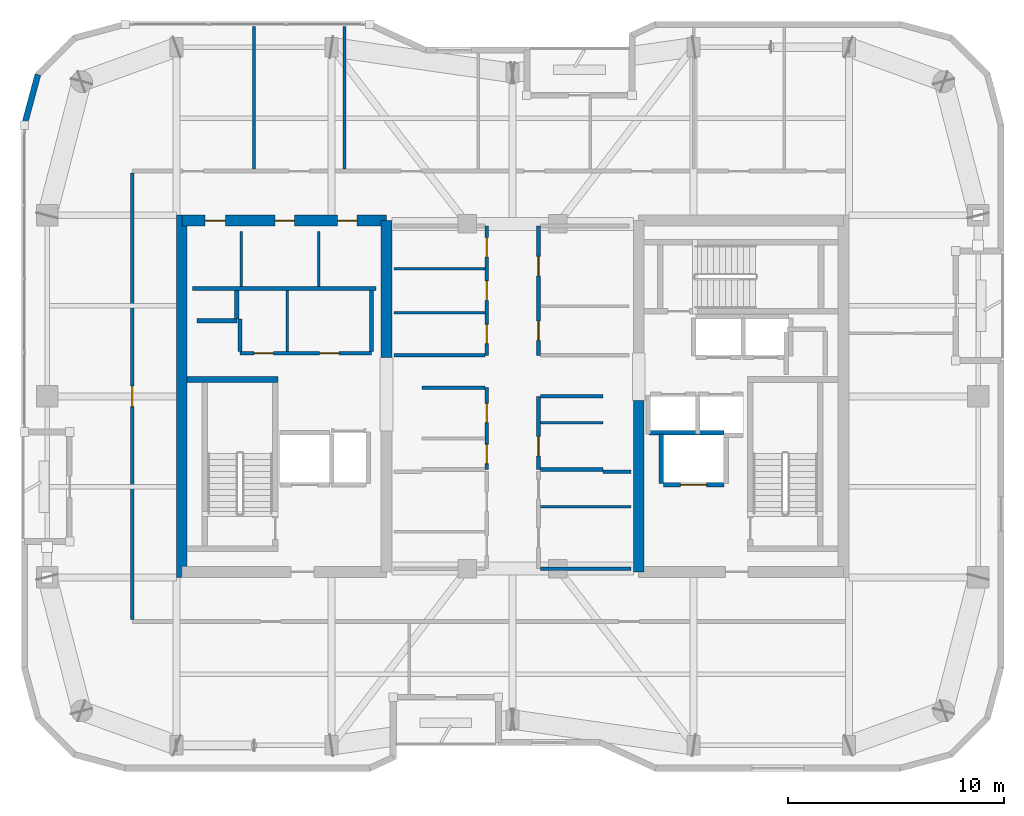
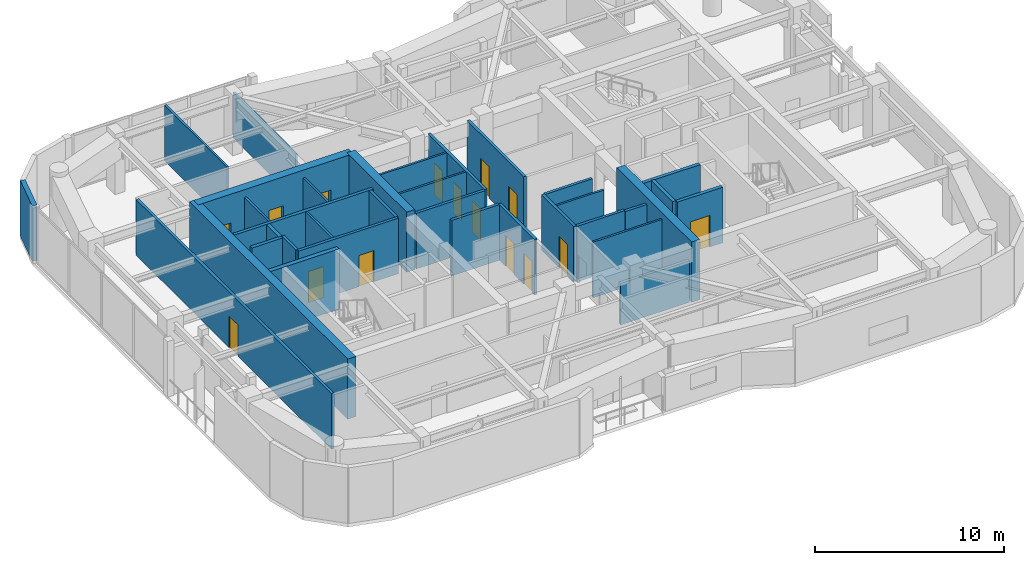
# One storey, part 11 of 15: 35 walls, 15 doors, 15 openings.
"""IFC4 building model written with IfcOpenShell, lengths in metres."""

from ifc_helpers import new_model, si_unit, direction, frame, frame_2d, origin, place, context, subcontext, project, spatial, rectangle, extrude, material, layer, layer_set, type_object, element, fill, save


model = new_model("IFC4")

# Units and contexts
model_context = context("Model", 3, precision=1e-05, world=origin(), true_north=direction((0.0, 1.0)))
body_context = subcontext(model_context, "Body", "Model", "MODEL_VIEW")
ifc_project = project(units=[si_unit("LENGTHUNIT", "METRE"), si_unit("AREAUNIT", "SQUARE_METRE"), si_unit("VOLUMEUNIT", "CUBIC_METRE"), si_unit("PLANEANGLEUNIT", "RADIAN"), si_unit("MASSUNIT", "GRAM", prefix="KILO")], contexts=[model_context])

# Site, building, storey
site_placement = place(None, origin())
site = spatial("IfcSite", under=ifc_project, at=site_placement, CompositionType="ELEMENT")
building_placement = place(site_placement, origin())
building = spatial("IfcBuilding", under=site, at=building_placement, Name="Kiyonajd Concourse Tower", CompositionType="ELEMENT")
storey_placement = place(building_placement, frame((0.0, 0.0, 278.39990234375)))
storey = spatial("IfcBuildingStorey", under=building, at=storey_placement, Name="L70", CompositionType="ELEMENT", Elevation=278.39990234375)

# Walls
ifc_material_1 = material(Name="Concrete C60/75", Category="concrete")
ifc_layer_1 = layer(ifc_material_1, 0.5)
ifc_layer_set_1 = layer_set([ifc_layer_1], Name="Concrete C60/75")
wall_type_1 = type_object("IfcWallType", Name="WL-CORE-500", PredefinedType="SHEAR", material=ifc_layer_set_1)
wall_1_placement = place(storey_placement, frame((32.64990234375, 27.60009765625, 0.0), z_axis=(0.0, 0.0, 1.0), x_axis=(0.0, 1.0, 0.0)))
element("IfcWall", 1, at=wall_1_placement, inside=storey, type_object=wall_type_1, Name="L70 West Core Outer Shear Wall", PredefinedType="SHEAR", context=body_context, shape_type="SweptSolid", body=[
    extrude(rectangle(XDim=16.7998046875, YDim=0.5, at=frame_2d((8.39990234375, 0.0))), origin(), (0.0, 0.0, 1.0), 3.900146484375),
])
wall_2_placement = place(storey_placement, frame((42.14990234375, 37.800048828125, 0.0), z_axis=(0.0, 0.0, 1.0), x_axis=(0.0, 1.0, 0.0)))
element("IfcWall", 2, at=wall_2_placement, inside=storey, type_object=wall_type_1, Name="L70 West Core Inner North Shear Wall", PredefinedType="SHEAR", context=body_context, shape_type="SweptSolid", body=[
    extrude(rectangle(XDim=6.349853515625, YDim=0.5, at=frame_2d((3.1748046875, 0.0))), origin(), (0.0, 0.0, 1.0), 3.900146484375),
])

# Wall, openings, doors
wall_3_placement = place(storey_placement, frame((32.64990234375, 44.14990234375, 0.0), z_axis=(0.0, 0.0, 1.0), x_axis=(1.0, 0.0, 0.0)))
wall_3 = element("IfcWall", 3, at=wall_3_placement, inside=storey, type_object=wall_type_1, Name="L70 West Core North Shear Wall", PredefinedType="SHEAR", context=body_context, shape_type="SweptSolid", body=[
    extrude(rectangle(XDim=9.5, YDim=0.5, at=frame_2d((4.75, 0.0))), origin(), (0.0, 0.0, 1.0), 3.900146484375),
])
opening_1_placement = place(wall_3_placement, frame((1.074951171875, 0.0, 0.0)))
opening_1 = element("IfcOpeningElement", 4, at=opening_1_placement, cuts=wall_3, Name="Opening DI1", PredefinedType="OPENING", context=body_context, shape_type="SweptSolid", body=[
    extrude(rectangle(XDim=0.949951171875, YDim=2.0400390625, at=frame_2d((0.47509765625, 1.02001953125))), frame((0.0, 0.260009765625, 0.0), z_axis=(0.0, -1.0, 0.0), x_axis=(1.0, 0.0, 0.0)), (0.0, 0.0, 1.0), 0.52001953125),
])
opening_2_placement = place(wall_3_placement, frame((4.324951171875, 0.0, 0.0)))
opening_2 = element("IfcOpeningElement", 5, at=opening_2_placement, cuts=wall_3, Name="Opening DI2", PredefinedType="OPENING", context=body_context, shape_type="SweptSolid", body=[
    extrude(rectangle(XDim=0.89990234375, YDim=2.02001953125, at=frame_2d((0.449951171875, 1.010009765625))), frame((0.0, 0.260009765625, 0.0), z_axis=(0.0, -1.0, 0.0), x_axis=(1.0, 0.0, 0.0)), (0.0, 0.0, 1.0), 0.52001953125),
])
opening_3_placement = place(wall_3_placement, frame((7.22509765625, 0.0, 0.0)))
opening_3 = element("IfcOpeningElement", 6, at=opening_3_placement, cuts=wall_3, Name="Opening DI2", PredefinedType="OPENING", context=body_context, shape_type="SweptSolid", body=[
    extrude(rectangle(XDim=0.89990234375, YDim=2.02001953125, at=frame_2d((0.449951171875, 1.010009765625))), frame((0.0, 0.260009765625, 0.0), z_axis=(0.0, -1.0, 0.0), x_axis=(1.0, 0.0, 0.0)), (0.0, 0.0, 1.0), 0.52001953125),
])
ifc_material_2 = material(Name="Natural Oak Acoustic Timber Veneer", Category="wood")
door_type_1 = type_object("IfcDoorType", Name="DR-INT-900", OperationType="NOTDEFINED", PredefinedType="DOOR", material=ifc_material_2)
door_1_placement = place(opening_2_placement, origin())
door_1 = element("IfcDoor", 7, at=door_1_placement, inside=storey, type_object=door_type_1, Name="L70 Male Restroom Door", OperationType="SINGLE_SWING_RIGHT", OverallHeight=2.02001953125, OverallWidth=0.89990234375, PredefinedType="DOOR", context=body_context, shape_type="SweptSolid", body=[
    extrude(rectangle(XDim=0.89990234375, YDim=2.02001953125, at=frame_2d((0.449951171875, 1.010009765625))), frame((0.0, 0.02490234375, 0.0), z_axis=(0.0, -1.0, 0.0), x_axis=(1.0, 0.0, 0.0)), (0.0, 0.0, 1.0), 0.050048828125),
])
fill(opening_2, door_1)
door_2_placement = place(opening_3_placement, origin())
door_2 = element("IfcDoor", 8, at=door_2_placement, inside=storey, type_object=door_type_1, Name="L70 Female Restroom Door", OperationType="SINGLE_SWING_LEFT", OverallHeight=2.02001953125, OverallWidth=0.89990234375, PredefinedType="DOOR", context=body_context, shape_type="SweptSolid", body=[
    extrude(rectangle(XDim=0.89990234375, YDim=2.02001953125, at=frame_2d((0.449951171875, 1.010009765625))), frame((0.0, 0.02490234375, 0.0), z_axis=(0.0, -1.0, 0.0), x_axis=(1.0, 0.0, 0.0)), (0.0, 0.0, 1.0), 0.050048828125),
])
fill(opening_3, door_2)
door_type_2 = type_object("IfcDoorType", Name="DR-INT-950", OperationType="NOTDEFINED", PredefinedType="DOOR", material=ifc_material_2)
door_3_placement = place(opening_1_placement, origin())
door_3 = element("IfcDoor", 9, at=door_3_placement, inside=storey, type_object=door_type_2, Name="L70 Single User Accessible WC Door", OperationType="SINGLE_SWING_LEFT", OverallHeight=2.0400390625, OverallWidth=0.949951171875, PredefinedType="DOOR", context=body_context, shape_type="SweptSolid", body=[
    extrude(rectangle(XDim=0.949951171875, YDim=2.0400390625, at=frame_2d((0.47509765625, 1.02001953125))), frame((0.0, 0.02490234375, 0.0), z_axis=(0.0, -1.0, 0.0), x_axis=(1.0, 0.0, 0.0)), (0.0, 0.0, 1.0), 0.050048828125),
])
fill(opening_1, door_3)

# Walls
wall_4_placement = place(storey_placement, frame((53.85009765625, 27.85009765625, 0.0), z_axis=(0.0, 0.0, 1.0), x_axis=(0.0, 1.0, 0.0)))
element("IfcWall", 10, at=wall_4_placement, inside=storey, type_object=wall_type_1, Name="L70 East Core Inner South Shear Wall", PredefinedType="SHEAR", context=body_context, shape_type="SweptSolid", body=[
    extrude(rectangle(XDim=7.949951171875, YDim=0.5, at=frame_2d((3.97509765625, 0.0))), origin(), (0.0, 0.0, 1.0), 3.900146484375),
])
ifc_material_3 = material(Name="Precast concrete C50/60", Category="concrete")
ifc_layer_2 = layer(ifc_material_3, 0.280029296875)
ifc_layer_set_2 = layer_set([ifc_layer_2], Name="Precast concrete C50/60")
wall_type_2 = type_object("IfcWallType", Name="WL-EXT-280", PredefinedType="SOLIDWALL", material=ifc_layer_set_2)
wall_5_placement = place(storey_placement, frame((25.340087890625, 48.58154296875, 0.0), z_axis=(0.0, 0.0, 1.0), x_axis=(0.258751159445, 0.965944013639, 0.0)))
element("IfcWall", 11, at=wall_5_placement, inside=storey, type_object=wall_type_2, Name="L70 Exterior Concrete Frame Wall 06", PredefinedType="SOLIDWALL", context=body_context, shape_type="SweptSolid", body=[
    extrude(rectangle(XDim=2.4287109375, YDim=0.280029296875, at=frame_2d((1.21435546875, 0.0))), origin(), (0.0, 0.0, 1.0), 3.60009765625),
])
ifc_material_4 = material(Name="Gypsum Board on Cold-Formed Steel Stud", Category="steel")
ifc_layer_3 = layer(ifc_material_4, 0.125)
ifc_layer_set_3 = layer_set([ifc_layer_3], Name="Gypsum Board on Cold-Formed Steel Stud")
wall_type_3 = type_object("IfcWallType", Name="WL-PART-125", PredefinedType="PARTITIONING", material=ifc_layer_set_3)
for number, where, z_axis, x_axis, name in (
    (12, (35.39990234375, 41.094970703125, 0.0), (0.0, 0.0, 1.0), (0.0, 1.0, 0.0), "L70 Interior Partition Wall"),
    (13, (39.0, 41.094970703125, 0.0), (0.0, 0.0, 1.0), (0.0, 1.0, 0.0), "L70 Interior Partition Wall"),
):
    element("IfcWall", number, at=place(storey_placement, frame(where, z_axis=z_axis, x_axis=x_axis)), inside=storey, type_object=wall_type_3, Name=name, PredefinedType="PARTITIONING", context=body_context, shape_type="SweptSolid", body=[
        extrude(rectangle(XDim=2.554931640625, YDim=0.125, at=frame_2d((1.27734375, 0.0))), origin(), (0.0, 0.0, 1.0), 3.60009765625),
    ])
wall_6_placement = place(storey_placement, frame((37.5458984375, 38.0869140625, 0.0), z_axis=(0.0, 0.0, 1.0), x_axis=(0.0, 1.0, 0.0)))
element("IfcWall", 14, at=wall_6_placement, inside=storey, type_object=wall_type_3, Name="L70 Interior Partition Wall", PredefinedType="PARTITIONING", context=body_context, shape_type="SweptSolid", body=[
    extrude(rectangle(XDim=2.81298828125, YDim=0.125, at=frame_2d((1.406494140625, 0.0))), origin(), (0.0, 0.0, 1.0), 3.60009765625),
])
wall_7_placement = place(storey_placement, frame((49.287109375, 34.77587890625, 0.0), z_axis=(0.0, 0.0, 1.0), x_axis=(1.0, 0.0, 0.0)))
element("IfcWall", 15, at=wall_7_placement, inside=storey, type_object=wall_type_3, Name="L70 Interior Partition Wall", PredefinedType="PARTITIONING", context=body_context, shape_type="SweptSolid", body=[
    extrude(rectangle(XDim=2.912841796875, YDim=0.125, at=frame_2d((1.45654296875, 0.0))), origin(), (0.0, 0.0, 1.0), 3.60009765625),
])
for number, where, z_axis, x_axis, name in (
    (16, (49.287109375, 30.8798828125, 0.0), (0.0, 0.0, 1.0), (1.0, 0.0, 0.0), "L70 Interior Partition Wall"),
    (17, (42.5, 39.8798828125, 0.0), (0.0, 0.0, 1.0), (1.0, 0.0, 0.0), "L70 Interior Partition Wall"),
    (18, (42.5, 41.919921875, 0.0), (0.0, 0.0, 1.0), (1.0, 0.0, 0.0), "L70 Interior Partition Wall"),
):
    element("IfcWall", number, at=place(storey_placement, frame(where, z_axis=z_axis, x_axis=x_axis)), inside=storey, type_object=wall_type_3, Name=name, PredefinedType="PARTITIONING", context=body_context, shape_type="SweptSolid", body=[
        extrude(rectangle(XDim=4.212890625, YDim=0.125, at=frame_2d((2.1064453125, 0.0))), origin(), (0.0, 0.0, 1.0), 3.60009765625),
    ])
wall_8_placement = place(storey_placement, frame((36.0, 46.537109375, 0.0), z_axis=(0.0, 0.0, 1.0), x_axis=(0.0, 1.0, 0.0)))
element("IfcWall", 19, at=wall_8_placement, inside=storey, type_object=wall_type_3, Name="L70 Interior Partition Wall", PredefinedType="PARTITIONING", context=body_context, shape_type="SweptSolid", body=[
    extrude(rectangle(XDim=6.6279296875, YDim=0.125, at=frame_2d((3.31396484375, 0.0))), origin(), (0.0, 0.0, 1.0), 3.60009765625),
])
wall_9_placement = place(storey_placement, frame((40.199951171875, 46.537109375, 0.0), z_axis=(0.0, 0.0, 1.0), x_axis=(0.0, 1.0, 0.0)))
element("IfcWall", 20, at=wall_9_placement, inside=storey, type_object=wall_type_3, Name="L70 Interior Partition Wall", PredefinedType="PARTITIONING", context=body_context, shape_type="SweptSolid", body=[
    extrude(rectangle(XDim=6.6279296875, YDim=0.125, at=frame_2d((3.31396484375, 0.0))), origin(), (0.0, 0.0, 1.0), 2.963134765625),
])
ifc_layer_4 = layer(ifc_material_4, 0.18994140625)
ifc_layer_set_4 = layer_set([ifc_layer_4], Name="Gypsum Board on Cold-Formed Steel Stud")
wall_type_4 = type_object("IfcWallType", Name="WL-PLMB-190", PredefinedType="PLUMBINGWALL", material=ifc_layer_set_4)
wall_10_placement = place(storey_placement, frame((33.14990234375, 41.0, 0.0), z_axis=(0.0, 0.0, 1.0), x_axis=(1.0, 0.0, 0.0)))
element("IfcWall", 21, at=wall_10_placement, inside=storey, type_object=wall_type_4, Name="L70 Interior Partition Wall", PredefinedType="PLUMBINGWALL", context=body_context, shape_type="SweptSolid", body=[
    extrude(rectangle(XDim=8.5, YDim=0.18994140625, at=frame_2d((4.25, 0.0))), origin(), (0.0, 0.0, 1.0), 3.60009765625),
])
ifc_layer_5 = layer(ifc_material_4, 0.2099609375)
ifc_layer_set_5 = layer_set([ifc_layer_5], Name="Gypsum Board on Cold-Formed Steel Stud")
wall_type_5 = type_object("IfcWallType", Name="WL-SHAFT-210", PredefinedType="PARTITIONING", material=ifc_layer_set_5)
wall_11_placement = place(storey_placement, frame((33.360107421875, 39.5, 0.0), z_axis=(0.0, 0.0, 1.0), x_axis=(1.0, 0.0, 0.0)))
element("IfcWall", 22, at=wall_11_placement, inside=storey, type_object=wall_type_5, Name="L70 Shaft Enclosure Wall", PredefinedType="PARTITIONING", context=body_context, shape_type="SweptSolid", body=[
    extrude(rectangle(XDim=1.85986328125, YDim=0.2099609375, at=frame_2d((0.929931640625, 0.0))), origin(), (0.0, 0.0, 1.0), 3.60009765625),
])
wall_12_placement = place(storey_placement, frame((35.199951171875, 39.580078125, 0.0), z_axis=(0.0, 0.0, 1.0), x_axis=(0.0, 1.0, 0.0)))
element("IfcWall", 23, at=wall_12_placement, inside=storey, type_object=wall_type_5, Name="L70 Shaft Enclosure Wall", PredefinedType="PARTITIONING", context=body_context, shape_type="SweptSolid", body=[
    extrude(rectangle(XDim=1.31982421875, YDim=0.2099609375, at=frame_2d((0.659912109375, 0.0))), origin(), (0.0, 0.0, 1.0), 3.60009765625),
])

# Wall, opening, door
wall_13_placement = place(storey_placement, frame((55.0, 31.89990234375, 0.0), z_axis=(0.0, 0.0, 1.0), x_axis=(1.0, 0.0, 0.0)))
wall_13 = element("IfcWall", 24, at=wall_13_placement, inside=storey, type_object=wall_type_5, Name="L70 Shaft Enclosure Wall", PredefinedType="PARTITIONING", context=body_context, shape_type="SweptSolid", body=[
    extrude(rectangle(XDim=2.800048828125, YDim=0.2099609375, at=frame_2d((1.39990234375, 0.0))), origin(), (0.0, 0.0, 1.0), 3.60009765625),
])
opening_4_placement = place(wall_13_placement, frame((0.800048828125, 0.0, 0.0)))
opening_4 = element("IfcOpeningElement", 25, at=opening_4_placement, cuts=wall_13, Name="Opening LD2", PredefinedType="OPENING", context=body_context, shape_type="SweptSolid", body=[
    extrude(rectangle(XDim=1.199951171875, YDim=2.0400390625, at=frame_2d((0.60009765625, 1.02001953125))), frame((0.0, 0.114990234375, 0.0), z_axis=(0.0, -1.0, 0.0), x_axis=(1.0, 0.0, 0.0)), (0.0, 0.0, 1.0), 0.22998046875),
])
ifc_material_5 = material(Name="Brushed Stainless Steel Cab Assembly", Category="steel")
door_type_3 = type_object("IfcDoorType", Name="DR-LD-1200", OperationType="DOUBLE_DOOR_SLIDING", PredefinedType="DOOR", material=ifc_material_5)
door_4_placement = place(opening_4_placement, origin())
door_4 = element("IfcDoor", 26, at=door_4_placement, inside=storey, type_object=door_type_3, Name="L70 Lift FFL2 Sliding Landing Door", OperationType="DOUBLE_DOOR_SLIDING", OverallHeight=2.0400390625, OverallWidth=1.199951171875, PredefinedType="DOOR", context=body_context, shape_type="SweptSolid", body=[
    extrude(rectangle(XDim=1.199951171875, YDim=2.0400390625, at=frame_2d((0.60009765625, 1.02001953125))), frame((0.0, 0.02490234375, 0.0), z_axis=(0.0, -1.0, 0.0), x_axis=(1.0, 0.0, 0.0)), (0.0, 0.0, 1.0), 0.050048828125),
])
fill(opening_4, door_4)

# Walls
wall_14_placement = place(storey_placement, frame((54.320068359375, 34.300048828125, 0.0), z_axis=(0.0, 0.0, 1.0), x_axis=(1.0, 0.0, 0.0)))
element("IfcWall", 27, at=wall_14_placement, inside=storey, type_object=wall_type_5, Name="L70 Shaft Enclosure Wall", PredefinedType="PARTITIONING", context=body_context, shape_type="SweptSolid", body=[
    extrude(rectangle(XDim=3.47998046875, YDim=0.2099609375, at=frame_2d((1.739990234375, 0.0))), origin(), (0.0, 0.0, 1.0), 3.60009765625),
])
wall_15_placement = place(storey_placement, frame((54.89990234375, 31.9599609375, 0.0), z_axis=(0.0, 0.0, 1.0), x_axis=(0.0, 1.0, 0.0)))
element("IfcWall", 28, at=wall_15_placement, inside=storey, type_object=wall_type_5, Name="L70 Shaft Enclosure Wall", PredefinedType="PARTITIONING", context=body_context, shape_type="SweptSolid", body=[
    extrude(rectangle(XDim=2.280029296875, YDim=0.2099609375, at=frame_2d((1.14013671875, 0.0))), origin(), (0.0, 0.0, 1.0), 3.60009765625),
])

# Wall, openings, doors
ifc_layer_6 = layer(ifc_material_4, 0.169921875)
ifc_layer_set_6 = layer_set([ifc_layer_6], Name="Gypsum Board on Cold-Formed Steel Stud")
wall_type_6 = type_object("IfcWallType", Name="WL-SMK-170", PredefinedType="PARTITIONING", material=ifc_layer_set_6)
wall_16_placement = place(storey_placement, frame((35.35009765625, 38.0, 0.0), z_axis=(0.0, 0.0, 1.0), x_axis=(1.0, 0.0, 0.0)))
wall_16 = element("IfcWall", 29, at=wall_16_placement, inside=storey, type_object=wall_type_6, Name="L70 Interior Partition Wall", PredefinedType="PARTITIONING", context=body_context, shape_type="SweptSolid", body=[
    extrude(rectangle(XDim=6.099853515625, YDim=0.169921875, at=frame_2d((3.0498046875, 0.0))), origin(), (0.0, 0.0, 1.0), 3.60009765625),
])
opening_5_placement = place(wall_16_placement, frame((0.64794921875, 0.0, 0.0)))
opening_5 = element("IfcOpeningElement", 30, at=opening_5_placement, cuts=wall_16, Name="Opening DI2", PredefinedType="OPENING", context=body_context, shape_type="SweptSolid", body=[
    extrude(rectangle(XDim=0.89990234375, YDim=2.02001953125, at=frame_2d((0.449951171875, 1.010009765625))), frame((0.0, 0.094970703125, 0.0), z_axis=(0.0, -1.0, 0.0), x_axis=(1.0, 0.0, 0.0)), (0.0, 0.0, 1.0), 0.18994140625),
])
opening_6_placement = place(wall_16_placement, frame((3.697998046875, 0.0, 0.0)))
opening_6 = element("IfcOpeningElement", 31, at=opening_6_placement, cuts=wall_16, Name="Opening DI2", PredefinedType="OPENING", context=body_context, shape_type="SweptSolid", body=[
    extrude(rectangle(XDim=0.89990234375, YDim=2.02001953125, at=frame_2d((0.449951171875, 1.010009765625))), frame((0.0, 0.094970703125, 0.0), z_axis=(0.0, -1.0, 0.0), x_axis=(1.0, 0.0, 0.0)), (0.0, 0.0, 1.0), 0.18994140625),
])
door_5_placement = place(opening_5_placement, origin())
door_5 = element("IfcDoor", 32, at=door_5_placement, inside=storey, type_object=door_type_1, Name="L70 Interior Door", OperationType="SINGLE_SWING_LEFT", OverallHeight=2.02001953125, OverallWidth=0.89990234375, PredefinedType="DOOR", context=body_context, shape_type="SweptSolid", body=[
    extrude(rectangle(XDim=0.89990234375, YDim=2.02001953125, at=frame_2d((0.449951171875, 1.010009765625))), frame((0.0, 0.02490234375, 0.0), z_axis=(0.0, -1.0, 0.0), x_axis=(1.0, 0.0, 0.0)), (0.0, 0.0, 1.0), 0.050048828125),
])
fill(opening_5, door_5)
door_6_placement = place(opening_6_placement, origin())
door_6 = element("IfcDoor", 33, at=door_6_placement, inside=storey, type_object=door_type_1, Name="L70 Interior Door", OperationType="SINGLE_SWING_RIGHT", OverallHeight=2.02001953125, OverallWidth=0.89990234375, PredefinedType="DOOR", context=body_context, shape_type="SweptSolid", body=[
    extrude(rectangle(XDim=0.89990234375, YDim=2.02001953125, at=frame_2d((0.449951171875, 1.010009765625))), frame((0.0, 0.02490234375, 0.0), z_axis=(0.0, -1.0, 0.0), x_axis=(1.0, 0.0, 0.0)), (0.0, 0.0, 1.0), 0.050048828125),
])
fill(opening_6, door_6)

# Walls
wall_17_placement = place(storey_placement, frame((35.35009765625, 38.0869140625, 0.0), z_axis=(0.0, 0.0, 1.0), x_axis=(0.0, 1.0, 0.0)))
element("IfcWall", 34, at=wall_17_placement, inside=storey, type_object=wall_type_6, Name="L70 Interior Partition Wall", PredefinedType="PARTITIONING", context=body_context, shape_type="SweptSolid", body=[
    extrude(rectangle(XDim=1.4931640625, YDim=0.169921875, at=frame_2d((0.74658203125, 0.0))), origin(), (0.0, 0.0, 1.0), 3.60009765625),
])
wall_18_placement = place(storey_placement, frame((41.449951171875, 38.0869140625, 0.0), z_axis=(0.0, 0.0, 1.0), x_axis=(0.0, 1.0, 0.0)))
element("IfcWall", 35, at=wall_18_placement, inside=storey, type_object=wall_type_6, Name="L70 Interior Partition Wall", PredefinedType="PARTITIONING", context=body_context, shape_type="SweptSolid", body=[
    extrude(rectangle(XDim=2.81298828125, YDim=0.169921875, at=frame_2d((1.406494140625, 0.0))), origin(), (0.0, 0.0, 1.0), 3.60009765625),
])

# Wall, openings, doors
wall_19_placement = place(storey_placement, frame((46.800048828125, 32.60009765625, 0.0), z_axis=(0.0, 0.0, 1.0), x_axis=(0.0, 1.0, 0.0)))
wall_19 = element("IfcWall", 36, at=wall_19_placement, inside=storey, type_object=wall_type_6, Name="L70 Interior Partition Wall", PredefinedType="PARTITIONING", context=body_context, shape_type="SweptSolid", body=[
    extrude(rectangle(XDim=3.7998046875, YDim=0.169921875, at=frame_2d((1.89990234375, 0.0))), origin(), (0.0, 0.0, 1.0), 3.60009765625),
])
opening_7_placement = place(wall_19_placement, frame((0.27197265625, 0.0, 0.0)))
opening_7 = element("IfcOpeningElement", 37, at=opening_7_placement, cuts=wall_19, Name="Opening DI2", PredefinedType="OPENING", context=body_context, shape_type="SweptSolid", body=[
    extrude(rectangle(XDim=0.89990234375, YDim=2.02001953125, at=frame_2d((0.449951171875, 1.010009765625))), frame((0.0, 0.094970703125, 0.0), z_axis=(0.0, -1.0, 0.0), x_axis=(1.0, 0.0, 0.0)), (0.0, 0.0, 1.0), 0.18994140625),
])
opening_8_placement = place(wall_19_placement, frame((2.172119140625, 0.0, 0.0)))
opening_8 = element("IfcOpeningElement", 38, at=opening_8_placement, cuts=wall_19, Name="Opening DI2", PredefinedType="OPENING", context=body_context, shape_type="SweptSolid", body=[
    extrude(rectangle(XDim=0.89990234375, YDim=2.02001953125, at=frame_2d((0.449951171875, 1.010009765625))), frame((0.0, 0.094970703125, 0.0), z_axis=(0.0, -1.0, 0.0), x_axis=(1.0, 0.0, 0.0)), (0.0, 0.0, 1.0), 0.18994140625),
])
door_7_placement = place(opening_7_placement, origin())
door_7 = element("IfcDoor", 39, at=door_7_placement, inside=storey, type_object=door_type_1, Name="L70 Interior Door", OperationType="SINGLE_SWING_LEFT", OverallHeight=2.02001953125, OverallWidth=0.89990234375, PredefinedType="DOOR", context=body_context, shape_type="SweptSolid", body=[
    extrude(rectangle(XDim=0.89990234375, YDim=2.02001953125, at=frame_2d((0.449951171875, 1.010009765625))), frame((0.0, 0.02490234375, 0.0), z_axis=(0.0, -1.0, 0.0), x_axis=(1.0, 0.0, 0.0)), (0.0, 0.0, 1.0), 0.050048828125),
])
fill(opening_7, door_7)
door_8_placement = place(opening_8_placement, origin())
door_8 = element("IfcDoor", 40, at=door_8_placement, inside=storey, type_object=door_type_1, Name="L70 Interior Door", OperationType="SINGLE_SWING_RIGHT", OverallHeight=2.02001953125, OverallWidth=0.89990234375, PredefinedType="DOOR", context=body_context, shape_type="SweptSolid", body=[
    extrude(rectangle(XDim=0.89990234375, YDim=2.02001953125, at=frame_2d((0.449951171875, 1.010009765625))), frame((0.0, 0.02490234375, 0.0), z_axis=(0.0, -1.0, 0.0), x_axis=(1.0, 0.0, 0.0)), (0.0, 0.0, 1.0), 0.050048828125),
])
fill(opening_8, door_8)

# Wall
wall_20_placement = place(storey_placement, frame((43.800048828125, 36.39990234375, 0.0), z_axis=(0.0, 0.0, 1.0), x_axis=(1.0, 0.0, 0.0)))
element("IfcWall", 41, at=wall_20_placement, inside=storey, type_object=wall_type_6, Name="L70 Interior Partition Wall", PredefinedType="PARTITIONING", context=body_context, shape_type="SweptSolid", body=[
    extrude(rectangle(XDim=2.912841796875, YDim=0.169921875, at=frame_2d((1.45654296875, 0.0))), origin(), (0.0, 0.0, 1.0), 3.60009765625),
])

# Wall, opening, door
wall_21_placement = place(storey_placement, frame((49.199951171875, 32.60009765625, 0.0), z_axis=(0.0, 0.0, 1.0), x_axis=(0.0, 1.0, 0.0)))
wall_21 = element("IfcWall", 42, at=wall_21_placement, inside=storey, type_object=wall_type_6, Name="L70 Interior Partition Wall", PredefinedType="PARTITIONING", context=body_context, shape_type="SweptSolid", body=[
    extrude(rectangle(XDim=3.39990234375, YDim=0.169921875, at=frame_2d((1.699951171875, 0.0))), origin(), (0.0, 0.0, 1.0), 3.60009765625),
])
opening_9_placement = place(wall_21_placement, frame((0.637939453125, 0.0, 0.0)))
opening_9 = element("IfcOpeningElement", 43, at=opening_9_placement, cuts=wall_21, Name="Opening DF4", PredefinedType="OPENING", context=body_context, shape_type="SweptSolid", body=[
    extrude(rectangle(XDim=0.89990234375, YDim=2.02001953125, at=frame_2d((0.449951171875, 1.010009765625))), frame((0.0, 0.094970703125, 0.0), z_axis=(0.0, -1.0, 0.0), x_axis=(1.0, 0.0, 0.0)), (0.0, 0.0, 1.0), 0.18994140625),
])
door_type_4 = type_object("IfcDoorType", Name="DR-FD60-900", OperationType="NOTDEFINED", PredefinedType="DOOR", material=ifc_material_5)
door_9_placement = place(opening_9_placement, origin())
door_9 = element("IfcDoor", 44, at=door_9_placement, inside=storey, type_object=door_type_4, Name="L70 Interior Door", OperationType="SINGLE_SWING_LEFT", OverallHeight=2.02001953125, OverallWidth=0.89990234375, PredefinedType="DOOR", context=body_context, shape_type="SweptSolid", body=[
    extrude(rectangle(XDim=0.89990234375, YDim=2.02001953125, at=frame_2d((0.449951171875, 1.010009765625))), frame((0.0, 0.02490234375, 0.0), z_axis=(0.0, -1.0, 0.0), x_axis=(1.0, 0.0, 0.0)), (0.0, 0.0, 1.0), 0.050048828125),
])
fill(opening_9, door_9)

# Walls
for number, where, z_axis, x_axis, name in (
    (45, (49.287109375, 32.60009765625, 0.0), (0.0, 0.0, 1.0), (1.0, 0.0, 0.0), "L70 Interior Partition Wall"),
    (46, (49.287109375, 36.0, 0.0), (0.0, 0.0, 1.0), (1.0, 0.0, 0.0), "L70 Interior Partition Wall"),
):
    element("IfcWall", number, at=place(storey_placement, frame(where, z_axis=z_axis, x_axis=x_axis)), inside=storey, type_object=wall_type_6, Name=name, PredefinedType="PARTITIONING", context=body_context, shape_type="SweptSolid", body=[
        extrude(rectangle(XDim=2.912841796875, YDim=0.169921875, at=frame_2d((1.45654296875, 0.0))), origin(), (0.0, 0.0, 1.0), 3.60009765625),
    ])
wall_22_placement = place(storey_placement, frame((49.287109375, 28.0, 0.0), z_axis=(0.0, 0.0, 1.0), x_axis=(1.0, 0.0, 0.0)))
element("IfcWall", 47, at=wall_22_placement, inside=storey, type_object=wall_type_6, Name="L70 Interior Partition Wall", PredefinedType="PARTITIONING", context=body_context, shape_type="SweptSolid", body=[
    extrude(rectangle(XDim=4.212890625, YDim=0.169921875, at=frame_2d((2.1064453125, 0.0))), origin(), (0.0, 0.0, 1.0), 2.68505859375),
])
wall_23_placement = place(storey_placement, frame((52.199951171875, 32.5, 0.0), z_axis=(0.0, 0.0, 1.0), x_axis=(1.0, 0.0, 0.0)))
element("IfcWall", 48, at=wall_23_placement, inside=storey, type_object=wall_type_6, Name="L70 Interior Partition Wall", PredefinedType="PARTITIONING", context=body_context, shape_type="SweptSolid", body=[
    extrude(rectangle(XDim=1.300048828125, YDim=0.169921875, at=frame_2d((0.64990234375, 0.0))), origin(), (0.0, 0.0, 1.0), 3.60009765625),
])

# Wall, openings, doors
wall_24_placement = place(storey_placement, frame((46.800048828125, 37.89990234375, 0.0), z_axis=(0.0, 0.0, 1.0), x_axis=(0.0, 1.0, 0.0)))
wall_24 = element("IfcWall", 49, at=wall_24_placement, inside=storey, type_object=wall_type_6, Name="L70 Interior Partition Wall", PredefinedType="PARTITIONING", context=body_context, shape_type="SweptSolid", body=[
    extrude(rectangle(XDim=6.0, YDim=0.169921875, at=frame_2d((3.0, 0.0))), origin(), (0.0, 0.0, 1.0), 3.60009765625),
])
opening_10_placement = place(wall_24_placement, frame((0.5400390625, 0.0, 0.0)))
opening_10 = element("IfcOpeningElement", 50, at=opening_10_placement, cuts=wall_24, Name="Opening DI2", PredefinedType="OPENING", context=body_context, shape_type="SweptSolid", body=[
    extrude(rectangle(XDim=0.89990234375, YDim=2.02001953125, at=frame_2d((0.449951171875, 1.010009765625))), frame((0.0, 0.094970703125, 0.0), z_axis=(0.0, -1.0, 0.0), x_axis=(1.0, 0.0, 0.0)), (0.0, 0.0, 1.0), 0.18994140625),
])
opening_11_placement = place(wall_24_placement, frame((2.550048828125, 0.0, 0.0)))
opening_11 = element("IfcOpeningElement", 51, at=opening_11_placement, cuts=wall_24, Name="Opening DI2", PredefinedType="OPENING", context=body_context, shape_type="SweptSolid", body=[
    extrude(rectangle(XDim=0.89990234375, YDim=2.02001953125, at=frame_2d((0.449951171875, 1.010009765625))), frame((0.0, 0.094970703125, 0.0), z_axis=(0.0, -1.0, 0.0), x_axis=(1.0, 0.0, 0.0)), (0.0, 0.0, 1.0), 0.18994140625),
])
opening_12_placement = place(wall_24_placement, frame((4.56005859375, 0.0, 0.0)))
opening_12 = element("IfcOpeningElement", 52, at=opening_12_placement, cuts=wall_24, Name="Opening DI2", PredefinedType="OPENING", context=body_context, shape_type="SweptSolid", body=[
    extrude(rectangle(XDim=0.89990234375, YDim=2.02001953125, at=frame_2d((0.449951171875, 1.010009765625))), frame((0.0, 0.094970703125, 0.0), z_axis=(0.0, -1.0, 0.0), x_axis=(1.0, 0.0, 0.0)), (0.0, 0.0, 1.0), 0.18994140625),
])
door_10_placement = place(opening_10_placement, origin())
door_10 = element("IfcDoor", 53, at=door_10_placement, inside=storey, type_object=door_type_1, Name="L70 Interior Door", OperationType="SINGLE_SWING_RIGHT", OverallHeight=2.02001953125, OverallWidth=0.89990234375, PredefinedType="DOOR", context=body_context, shape_type="SweptSolid", body=[
    extrude(rectangle(XDim=0.89990234375, YDim=2.02001953125, at=frame_2d((0.449951171875, 1.010009765625))), frame((0.0, 0.02490234375, 0.0), z_axis=(0.0, -1.0, 0.0), x_axis=(1.0, 0.0, 0.0)), (0.0, 0.0, 1.0), 0.050048828125),
])
fill(opening_10, door_10)
door_11_placement = place(opening_11_placement, origin())
door_11 = element("IfcDoor", 54, at=door_11_placement, inside=storey, type_object=door_type_1, Name="L70 Interior Door", OperationType="SINGLE_SWING_LEFT", OverallHeight=2.02001953125, OverallWidth=0.89990234375, PredefinedType="DOOR", context=body_context, shape_type="SweptSolid", body=[
    extrude(rectangle(XDim=0.89990234375, YDim=2.02001953125, at=frame_2d((0.449951171875, 1.010009765625))), frame((0.0, 0.02490234375, 0.0), z_axis=(0.0, -1.0, 0.0), x_axis=(1.0, 0.0, 0.0)), (0.0, 0.0, 1.0), 0.050048828125),
])
fill(opening_11, door_11)
door_12_placement = place(opening_12_placement, origin())
door_12 = element("IfcDoor", 55, at=door_12_placement, inside=storey, type_object=door_type_1, Name="L70 Interior Door", OperationType="SINGLE_SWING_RIGHT", OverallHeight=2.02001953125, OverallWidth=0.89990234375, PredefinedType="DOOR", context=body_context, shape_type="SweptSolid", body=[
    extrude(rectangle(XDim=0.89990234375, YDim=2.02001953125, at=frame_2d((0.449951171875, 1.010009765625))), frame((0.0, 0.02490234375, 0.0), z_axis=(0.0, -1.0, 0.0), x_axis=(1.0, 0.0, 0.0)), (0.0, 0.0, 1.0), 0.050048828125),
])
fill(opening_12, door_12)

# Wall
wall_25_placement = place(storey_placement, frame((42.5, 37.89990234375, 0.0), z_axis=(0.0, 0.0, 1.0), x_axis=(1.0, 0.0, 0.0)))
element("IfcWall", 56, at=wall_25_placement, inside=storey, type_object=wall_type_6, Name="L70 Interior Partition Wall", PredefinedType="PARTITIONING", context=body_context, shape_type="SweptSolid", body=[
    extrude(rectangle(XDim=4.212890625, YDim=0.169921875, at=frame_2d((2.1064453125, 0.0))), origin(), (0.0, 0.0, 1.0), 3.60009765625),
])

# Wall, openings, doors
wall_26_placement = place(storey_placement, frame((49.199951171875, 37.89990234375, 0.0), z_axis=(0.0, 0.0, 1.0), x_axis=(0.0, 1.0, 0.0)))
wall_26 = element("IfcWall", 57, at=wall_26_placement, inside=storey, type_object=wall_type_6, Name="L70 Interior Partition Wall", PredefinedType="PARTITIONING", context=body_context, shape_type="SweptSolid", body=[
    extrude(rectangle(XDim=6.0, YDim=0.169921875, at=frame_2d((3.0, 0.0))), origin(), (0.0, 0.0, 1.0), 3.60009765625),
])
opening_13_placement = place(wall_26_placement, frame((0.68994140625, 0.0, 0.0)))
opening_13 = element("IfcOpeningElement", 58, at=opening_13_placement, cuts=wall_26, Name="Opening DI2", PredefinedType="OPENING", context=body_context, shape_type="SweptSolid", body=[
    extrude(rectangle(XDim=0.89990234375, YDim=2.02001953125, at=frame_2d((0.449951171875, 1.010009765625))), frame((0.0, 0.094970703125, 0.0), z_axis=(0.0, -1.0, 0.0), x_axis=(1.0, 0.0, 0.0)), (0.0, 0.0, 1.0), 0.18994140625),
])
opening_14_placement = place(wall_26_placement, frame((3.68994140625, 0.0, 0.0)))
opening_14 = element("IfcOpeningElement", 59, at=opening_14_placement, cuts=wall_26, Name="Opening DI2", PredefinedType="OPENING", context=body_context, shape_type="SweptSolid", body=[
    extrude(rectangle(XDim=0.89990234375, YDim=2.02001953125, at=frame_2d((0.449951171875, 1.010009765625))), frame((0.0, 0.094970703125, 0.0), z_axis=(0.0, -1.0, 0.0), x_axis=(1.0, 0.0, 0.0)), (0.0, 0.0, 1.0), 0.18994140625),
])
door_13_placement = place(opening_13_placement, origin())
door_13 = element("IfcDoor", 60, at=door_13_placement, inside=storey, type_object=door_type_1, Name="L70 Interior Door", OperationType="SINGLE_SWING_LEFT", OverallHeight=2.02001953125, OverallWidth=0.89990234375, PredefinedType="DOOR", context=body_context, shape_type="SweptSolid", body=[
    extrude(rectangle(XDim=0.89990234375, YDim=2.02001953125, at=frame_2d((0.449951171875, 1.010009765625))), frame((0.0, 0.02490234375, 0.0), z_axis=(0.0, -1.0, 0.0), x_axis=(1.0, 0.0, 0.0)), (0.0, 0.0, 1.0), 0.050048828125),
])
fill(opening_13, door_13)
door_14_placement = place(opening_14_placement, origin())
door_14 = element("IfcDoor", 61, at=door_14_placement, inside=storey, type_object=door_type_1, Name="L70 Interior Door", OperationType="SINGLE_SWING_RIGHT", OverallHeight=2.02001953125, OverallWidth=0.89990234375, PredefinedType="DOOR", context=body_context, shape_type="SweptSolid", body=[
    extrude(rectangle(XDim=0.89990234375, YDim=2.02001953125, at=frame_2d((0.449951171875, 1.010009765625))), frame((0.0, 0.02490234375, 0.0), z_axis=(0.0, -1.0, 0.0), x_axis=(1.0, 0.0, 0.0)), (0.0, 0.0, 1.0), 0.050048828125),
])
fill(opening_14, door_14)

# Wall, opening, door
wall_27_placement = place(storey_placement, frame((30.35009765625, 25.636962890625, 0.0), z_axis=(0.0, 0.0, 1.0), x_axis=(0.0, 1.0, 0.0)))
wall_27 = element("IfcWall", 62, at=wall_27_placement, inside=storey, type_object=wall_type_6, Name="L70 Interior Partition Wall", PredefinedType="PARTITIONING", context=body_context, shape_type="SweptSolid", body=[
    extrude(rectangle(XDim=20.72607421875, YDim=0.169921875, at=frame_2d((10.363037109375, 0.0))), origin(), (0.0, 0.0, 1.0), 3.60009765625),
])
opening_15_placement = place(wall_27_placement, frame((9.887939453125, 0.0, 0.0)))
opening_15 = element("IfcOpeningElement", 63, at=opening_15_placement, cuts=wall_27, Name="Opening DI1", PredefinedType="OPENING", context=body_context, shape_type="SweptSolid", body=[
    extrude(rectangle(XDim=0.949951171875, YDim=2.0400390625, at=frame_2d((0.47509765625, 1.02001953125))), frame((0.0, 0.094970703125, 0.0), z_axis=(0.0, -1.0, 0.0), x_axis=(1.0, 0.0, 0.0)), (0.0, 0.0, 1.0), 0.18994140625),
])
door_15_placement = place(opening_15_placement, origin())
door_15 = element("IfcDoor", 64, at=door_15_placement, inside=storey, type_object=door_type_2, Name="L70 Interior Door", OperationType="SINGLE_SWING_RIGHT", OverallHeight=2.0400390625, OverallWidth=0.949951171875, PredefinedType="DOOR", context=body_context, shape_type="SweptSolid", body=[
    extrude(rectangle(XDim=0.949951171875, YDim=2.0400390625, at=frame_2d((0.47509765625, 1.02001953125))), frame((0.0, 0.02490234375, 0.0), z_axis=(0.0, -1.0, 0.0), x_axis=(1.0, 0.0, 0.0)), (0.0, 0.0, 1.0), 0.050048828125),
])
fill(opening_15, door_15)

# Wall
ifc_material_6 = material(Name="Concrete C50/60", Category="concrete")
ifc_layer_7 = layer(ifc_material_6, 0.260009765625)
ifc_layer_set_7 = layer_set([ifc_layer_7], Name="Concrete C50/60")
wall_type_7 = type_object("IfcWallType", Name="WL-STAIR-260", PredefinedType="SHEAR", material=ifc_layer_set_7)
wall_28_placement = place(storey_placement, frame((32.89990234375, 36.780029296875, 0.0), z_axis=(0.0, 0.0, 1.0), x_axis=(1.0, 0.0, 0.0)))
element("IfcWall", 65, at=wall_28_placement, inside=storey, type_object=wall_type_7, Name="L70 Stair ST1 Structural North Wall", PredefinedType="SHEAR", context=body_context, shape_type="SweptSolid", body=[
    extrude(rectangle(XDim=4.210205078125, YDim=0.260009765625, at=frame_2d((2.10498046875, 0.0))), origin(), (0.0, 0.0, 1.0), 3.900146484375),
])

save(model, "model.ifc")
